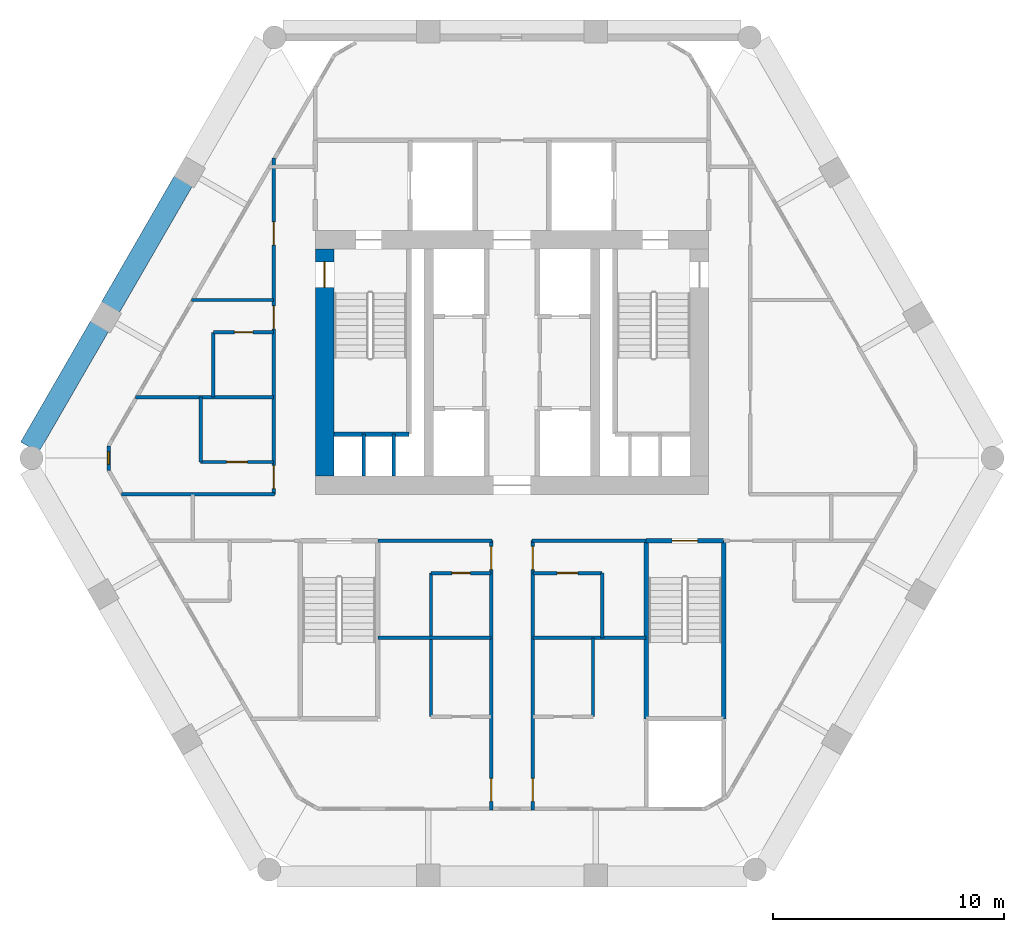
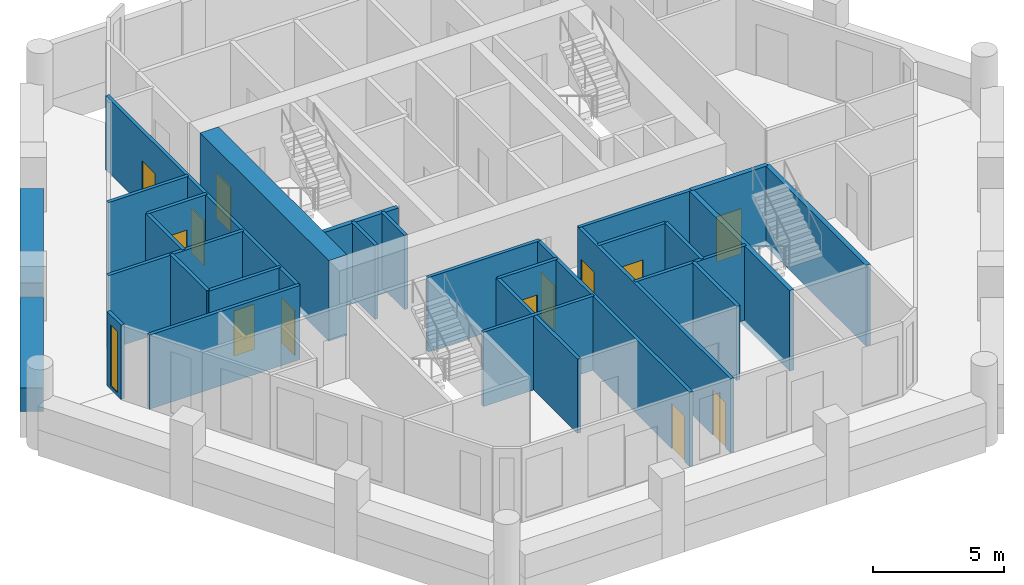
# One storey, part 3 of 7: 29 walls, 13 doors, 1 window, 14 openings.
"""IFC4 building model written with IfcOpenShell, lengths in metres."""

from ifc_helpers import new_model, si_unit, direction, frame, frame_2d, origin, place, context, subcontext, project, spatial, rectangle, extrude, material, layer, layer_set, type_object, element, fill, save


model = new_model("IFC4")

# Units and contexts
model_context = context("Model", 3, precision=1e-05, world=origin(), true_north=direction((0.0, 1.0)))
body_context = subcontext(model_context, "Body", "Model", "MODEL_VIEW")
ifc_project = project(units=[si_unit("LENGTHUNIT", "METRE"), si_unit("AREAUNIT", "SQUARE_METRE"), si_unit("VOLUMEUNIT", "CUBIC_METRE"), si_unit("PLANEANGLEUNIT", "RADIAN"), si_unit("MASSUNIT", "GRAM", prefix="KILO")], contexts=[model_context])

# Site, building, storey
site_placement = place(None, origin())
site = spatial("IfcSite", under=ifc_project, at=site_placement, CompositionType="ELEMENT")
building_placement = place(site_placement, origin())
building = spatial("IfcBuilding", under=site, at=building_placement, Name="Ostrander Bayou Hotel Tower", CompositionType="ELEMENT")
storey_placement = place(building_placement, frame((0.0, 0.0, 157.0)))
storey = spatial("IfcBuildingStorey", under=building, at=storey_placement, Name="L38", CompositionType="ELEMENT", Elevation=157.0)

# Wall, opening, door
ifc_material_1 = material(Name="Concrete f'c 60 MPa", Category="concrete")
ifc_layer_1 = layer(ifc_material_1, 0.800048828125)
ifc_layer_set_1 = layer_set([ifc_layer_1], Name="CW8 core spine wall 800 mm f'c 60 MPa")
wall_type_1 = type_object("IfcWallType", Name="CW8 core spine wall 800 mm f'c 60 MPa", PredefinedType="SHEAR", material=ifc_layer_set_1)
wall_1_placement = place(storey_placement, frame((-8.10009765625, -0.89990234375, -0.300048828125), z_axis=(0.0, 0.0, 1.0), x_axis=(0.0, 1.0, 0.0)))
wall_1 = element("IfcWall", 1, at=wall_1_placement, inside=storey, type_object=wall_type_1, Name="CW8 L38 W", PredefinedType="SHEAR", context=body_context, shape_type="SweptSolid", body=[
    extrude(rectangle(XDim=9.7998046875, YDim=0.800048828125, at=frame_2d((4.89990234375, 0.0))), origin(), (0.0, 0.0, 1.0), 3.75),
])
opening_1_placement = place(wall_1_placement, frame((8.14990234375, 0.0, 0.0)))
opening_1 = element("IfcOpeningElement", 2, at=opening_1_placement, cuts=wall_1, Name="Opening T38-008", PredefinedType="OPENING", context=body_context, shape_type="SweptSolid", body=[
    extrude(rectangle(XDim=1.10009765625, YDim=2.10009765625, at=frame_2d((0.550048828125, 1.050048828125))), frame((0.0, 0.39990234375, 0.0), z_axis=(0.0, -1.0, 0.0), x_axis=(1.0, 0.0, 0.0)), (0.0, 0.0, 1.0), 0.800048828125),
])
ifc_material_2 = material(Name="Timber door leaf", Category="wood")
door_type_1 = type_object("IfcDoorType", Name="D5 stair door 1100 x 2100 mm, 90 minute", OperationType="SINGLE_SWING_LEFT", PredefinedType="DOOR", material=ifc_material_2)
door_1_placement = place(opening_1_placement, origin())
door_1 = element("IfcDoor", 3, at=door_1_placement, inside=storey, type_object=door_type_1, Name="dr:L38:008", OperationType="SINGLE_SWING_RIGHT", OverallHeight=2.10009765625, OverallWidth=1.10009765625, PredefinedType="DOOR", context=body_context, shape_type="SweptSolid", body=[
    extrude(rectangle(XDim=1.10009765625, YDim=2.10009765625, at=frame_2d((0.550048828125, 1.050048828125))), frame((0.0, 0.02490234375, 0.0), z_axis=(0.0, -1.0, 0.0), x_axis=(1.0, 0.0, 0.0)), (0.0, 0.0, 1.0), 0.050048828125),
])
fill(opening_1, door_1)

# Wall, opening, window
ifc_material_3 = material(Name="Aluminium framed insulated wall", Category="aluminium")
ifc_layer_2 = layer(ifc_material_3, 0.14990234375)
ifc_layer_set_2 = layer_set([ifc_layer_2], Name="GW1 glass-line wall 150 mm")
wall_type_2 = type_object("IfcWallType", Name="GW1 glass-line wall 150 mm", PredefinedType="SOLIDWALL", material=ifc_layer_set_2)
wall_2_placement = place(storey_placement, frame((-17.42822265625, 0.401611328125, 0.0), z_axis=(0.0, 0.0, 1.0), x_axis=(0.0, -1.0, 0.0)))
wall_2 = element("IfcWall", 4, at=wall_2_placement, inside=storey, type_object=wall_type_2, Name="GW1 L38 corner 2", PredefinedType="SOLIDWALL", context=body_context, shape_type="SweptSolid", body=[
    extrude(rectangle(XDim=1.06494140625, YDim=0.14990234375, at=frame_2d((0.532470703125, 0.0))), origin(), (0.0, 0.0, 1.0), 3.449951171875),
])
opening_2_placement = place(wall_2_placement, frame((0.257568359375, 0.0, 0.14990234375)))
opening_2 = element("IfcOpeningElement", 5, at=opening_2_placement, cuts=wall_2, Name="Opening W19", PredefinedType="OPENING", context=body_context, shape_type="SweptSolid", body=[
    extrude(rectangle(XDim=0.550048828125, YDim=2.85009765625, at=frame_2d((0.27490234375, 1.425048828125))), frame((0.0, 0.074951171875, 0.0), z_axis=(0.0, -1.0, 0.0), x_axis=(1.0, 0.0, 0.0)), (0.0, 0.0, 1.0), 0.14990234375),
])
ifc_material_4 = material(Name="Aluminium and clear glass", Category="aluminium")
window_type = type_object("IfcWindowType", Name="W19 corner window 550 mm", PartitioningType="SINGLE_PANEL", PredefinedType="WINDOW", material=ifc_material_4)
window_placement = place(opening_2_placement, origin())
window = element("IfcWindow", 6, at=window_placement, inside=storey, type_object=window_type, Name="W19 L38 corner 2", OverallHeight=2.85009765625, OverallWidth=0.550048828125, PartitioningType="SINGLE_PANEL", PredefinedType="WINDOW", context=body_context, shape_type="SweptSolid", body=[
    extrude(rectangle(XDim=0.550048828125, YDim=2.85009765625, at=frame_2d((0.27490234375, 1.425048828125))), frame((0.0, 0.030029296875, 0.0), z_axis=(0.0, -1.0, 0.0), x_axis=(1.0, 0.0, 0.0)), (0.0, 0.0, 1.0), 0.06005859375),
])
fill(opening_2, window)

# Walls
ifc_material_5 = material(Name="Concrete f'c 40 MPa", Category="concrete")
ifc_layer_3 = layer(ifc_material_5, 0.89990234375)
ifc_layer_set_3 = layer_set([ifc_layer_3], Name="PA1 stone-faced parapet 900 mm")
wall_type_3 = type_object("IfcWallType", Name="PA1 stone-faced parapet 900 mm", PredefinedType="PARAPET", material=ifc_layer_set_3)
wall_3_placement = place(storey_placement, frame((-14.2041015625, 11.835693359375, 0.0), z_axis=(0.0, 0.0, 1.0), x_axis=(-0.500030142214, -0.86600800047, 0.0)))
element("IfcWall", 7, at=wall_3_placement, inside=storey, type_object=wall_type_3, Name="PA1 L38 NW-2", PredefinedType="PARAPET", context=body_context, shape_type="SweptSolid", body=[
    extrude(rectangle(XDim=6.2958984375, YDim=0.89990234375, at=frame_2d((3.14794921875, 0.0))), origin(), (0.0, 0.0, 1.0), 1.10009765625),
])
wall_4_placement = place(storey_placement, frame((-17.822265625, 5.569091796875, 0.0), z_axis=(0.0, 0.0, 1.0), x_axis=(-0.500012890865, -0.866017961112, 0.0)))
element("IfcWall", 8, at=wall_4_placement, inside=storey, type_object=wall_type_3, Name="PA1 L38 NW-3", PredefinedType="PARAPET", context=body_context, shape_type="SweptSolid", body=[
    extrude(rectangle(XDim=6.039306640625, YDim=0.89990234375, at=frame_2d((3.01953125, 0.0))), origin(), (0.0, 0.0, 1.0), 1.10009765625),
])
ifc_material_6 = material(Name="Gypsum board partition", Category="finish")
ifc_layer_4 = layer(ifc_material_6, 0.14990234375)
ifc_layer_set_4 = layer_set([ifc_layer_4], Name="PT7 riser wall 150 mm, 2 hour")
wall_type_4 = type_object("IfcWallType", Name="PT7 riser wall 150 mm, 2 hour", PredefinedType="PARTITIONING", material=ifc_layer_set_4)
for number, where, z_axis, x_axis, name in (
    (9, (-6.39990234375, -0.89990234375, 0.0), (0.0, 0.0, 1.0), (0.0, 1.0, 0.0), "cs:L38:011"),
    (10, (-5.10009765625, -0.89990234375, 0.0), (0.0, 0.0, 1.0), (0.0, 1.0, 0.0), "cs:L38:012"),
):
    element("IfcWall", number, at=place(storey_placement, frame(where, z_axis=z_axis, x_axis=x_axis)), inside=storey, type_object=wall_type_4, Name=name, PredefinedType="PARTITIONING", context=body_context, shape_type="SweptSolid", body=[
        extrude(rectangle(XDim=1.7998046875, YDim=0.14990234375, at=frame_2d((0.89990234375, 0.0))), origin(), (0.0, 0.0, 1.0), 3.449951171875),
    ])
ifc_material_7 = material(Name="Gypsum board partition", Category="finish")
ifc_layer_5 = layer(ifc_material_7, 0.14990234375)
ifc_layer_set_5 = layer_set([ifc_layer_5], Name="PT8 service band wall 150 mm, 1 hour")
wall_type_5 = type_object("IfcWallType", Name="PT8 service band wall 150 mm, 1 hour", PredefinedType="PARTITIONING", material=ifc_layer_set_5)
for number, where, z_axis, x_axis, name in (
    (11, (-5.7900390625, -7.89990234375, 0.0), (0.0, 0.0, 1.0), (1.0, 0.0, 0.0), "gw:L38:004"),
    (12, (0.89990234375, -7.89990234375, 0.0), (0.0, 0.0, 1.0), (1.0, 0.0, 0.0), "gw:L38:005"),
):
    element("IfcWall", number, at=place(storey_placement, frame(where, z_axis=z_axis, x_axis=x_axis)), inside=storey, type_object=wall_type_5, Name=name, PredefinedType="PARTITIONING", context=body_context, shape_type="SweptSolid", body=[
        extrude(rectangle(XDim=4.89013671875, YDim=0.14990234375, at=frame_2d((2.445068359375, 0.0))), origin(), (0.0, 0.0, 1.0), 3.449951171875),
    ])

# Wall, opening, door
wall_5_placement = place(storey_placement, frame((-3.5, -5.10009765625, 0.0), z_axis=(0.0, 0.0, 1.0), x_axis=(1.0, 0.0, 0.0)))
wall_5 = element("IfcWall", 13, at=wall_5_placement, inside=storey, type_object=wall_type_5, Name="gw:L38:008", PredefinedType="PARTITIONING", context=body_context, shape_type="SweptSolid", body=[
    extrude(rectangle(XDim=2.60009765625, YDim=0.14990234375, at=frame_2d((1.300048828125, 0.0))), origin(), (0.0, 0.0, 1.0), 3.449951171875),
])
opening_3_placement = place(wall_5_placement, frame((0.89990234375, 0.0, 0.0)))
opening_3 = element("IfcOpeningElement", 14, at=opening_3_placement, cuts=wall_5, Name="Opening T38-403", PredefinedType="OPENING", context=body_context, shape_type="SweptSolid", body=[
    extrude(rectangle(XDim=0.800048828125, YDim=2.10009765625, at=frame_2d((0.39990234375, 1.050048828125))), frame((0.0, 0.074951171875, 0.0), z_axis=(0.0, -1.0, 0.0), x_axis=(1.0, 0.0, 0.0)), (0.0, 0.0, 1.0), 0.14990234375),
])
ifc_material_8 = material(Name="Timber door leaf", Category="wood")
door_type_2 = type_object("IfcDoorType", Name="D2 bathroom door 800 x 2100 mm", OperationType="SINGLE_SWING_LEFT", PredefinedType="DOOR", material=ifc_material_8)
door_2_placement = place(opening_3_placement, origin())
door_2 = element("IfcDoor", 15, at=door_2_placement, inside=storey, type_object=door_type_2, Name="dr:L38:403", OperationType="SINGLE_SWING_RIGHT", OverallHeight=2.10009765625, OverallWidth=0.800048828125, PredefinedType="DOOR", context=body_context, shape_type="SweptSolid", body=[
    extrude(rectangle(XDim=0.800048828125, YDim=2.10009765625, at=frame_2d((0.39990234375, 1.050048828125))), frame((0.0, 0.02490234375, 0.0), z_axis=(0.0, -1.0, 0.0), x_axis=(1.0, 0.0, 0.0)), (0.0, 0.0, 1.0), 0.050048828125),
])
fill(opening_3, door_2)

wall_6_placement = place(storey_placement, frame((0.89990234375, -5.10009765625, 0.0), z_axis=(0.0, 0.0, 1.0), x_axis=(1.0, 0.0, 0.0)))
wall_6 = element("IfcWall", 16, at=wall_6_placement, inside=storey, type_object=wall_type_5, Name="gw:L38:009", PredefinedType="PARTITIONING", context=body_context, shape_type="SweptSolid", body=[
    extrude(rectangle(XDim=3.0, YDim=0.14990234375, at=frame_2d((1.5, 0.0))), origin(), (0.0, 0.0, 1.0), 3.449951171875),
])
opening_4_placement = place(wall_6_placement, frame((1.050048828125, 0.0, 0.0)))
opening_4 = element("IfcOpeningElement", 17, at=opening_4_placement, cuts=wall_6, Name="Opening T38-407", PredefinedType="OPENING", context=body_context, shape_type="SweptSolid", body=[
    extrude(rectangle(XDim=0.89990234375, YDim=2.10009765625, at=frame_2d((0.449951171875, 1.050048828125))), frame((0.0, 0.074951171875, 0.0), z_axis=(0.0, -1.0, 0.0), x_axis=(1.0, 0.0, 0.0)), (0.0, 0.0, 1.0), 0.14990234375),
])
ifc_material_9 = material(Name="Timber door leaf", Category="wood")
door_type_3 = type_object("IfcDoorType", Name="D14 bathroom door 900 x 2100 mm", OperationType="SINGLE_SWING_LEFT", PredefinedType="DOOR", material=ifc_material_9)
door_3_placement = place(opening_4_placement, origin())
door_3 = element("IfcDoor", 18, at=door_3_placement, inside=storey, type_object=door_type_3, Name="dr:L38:407", OperationType="SINGLE_SWING_LEFT", OverallHeight=2.10009765625, OverallWidth=0.89990234375, PredefinedType="DOOR", context=body_context, shape_type="SweptSolid", body=[
    extrude(rectangle(XDim=0.89990234375, YDim=2.10009765625, at=frame_2d((0.449951171875, 1.050048828125))), frame((0.0, 0.02490234375, 0.0), z_axis=(0.0, -1.0, 0.0), x_axis=(1.0, 0.0, 0.0)), (0.0, 0.0, 1.0), 0.050048828125),
])
fill(opening_4, door_3)

# Walls
for number, where, z_axis, x_axis, name in (
    (19, (-5.7900390625, -3.699951171875, 0.0), (0.0, 0.0, 1.0), (1.0, 0.0, 0.0), "gw:L38:011"),
    (20, (0.860107421875, -3.699951171875, 0.0), (0.0, 0.0, 1.0), (1.0, 0.0, 0.0), "gw:L38:012"),
):
    element("IfcWall", number, at=place(storey_placement, frame(where, z_axis=z_axis, x_axis=x_axis)), inside=storey, type_object=wall_type_5, Name=name, PredefinedType="PARTITIONING", context=body_context, shape_type="SweptSolid", body=[
        extrude(rectangle(XDim=4.929931640625, YDim=0.14990234375, at=frame_2d((2.46484375, 0.0))), origin(), (0.0, 0.0, 1.0), 3.449951171875),
    ])
wall_7_placement = place(storey_placement, frame((-16.882080078125, -1.699951171875, 0.0), z_axis=(0.0, 0.0, 1.0), x_axis=(1.0, 0.0, 0.0)))
element("IfcWall", 21, at=wall_7_placement, inside=storey, type_object=wall_type_5, Name="gw:L38:014", PredefinedType="PARTITIONING", context=body_context, shape_type="SweptSolid", body=[
    extrude(rectangle(XDim=6.6220703125, YDim=0.14990234375, at=frame_2d((3.31103515625, 0.0))), origin(), (0.0, 0.0, 1.0), 3.449951171875),
])

# Wall, opening, door
wall_8_placement = place(storey_placement, frame((-13.4599609375, -0.300048828125, 0.0), z_axis=(0.0, 0.0, 1.0), x_axis=(1.0, 0.0, 0.0)))
wall_8 = element("IfcWall", 22, at=wall_8_placement, inside=storey, type_object=wall_type_5, Name="gw:L38:016", PredefinedType="PARTITIONING", context=body_context, shape_type="SweptSolid", body=[
    extrude(rectangle(XDim=3.159912109375, YDim=0.14990234375, at=frame_2d((1.580078125, 0.0))), origin(), (0.0, 0.0, 1.0), 3.449951171875),
])
opening_5_placement = place(wall_8_placement, frame((1.12890625, 0.0, 0.0)))
opening_5 = element("IfcOpeningElement", 23, at=opening_5_placement, cuts=wall_8, Name="Opening T38-413", PredefinedType="OPENING", context=body_context, shape_type="SweptSolid", body=[
    extrude(rectangle(XDim=0.89990234375, YDim=2.10009765625, at=frame_2d((0.449951171875, 1.050048828125))), frame((0.0, 0.074951171875, 0.0), z_axis=(0.0, -1.0, 0.0), x_axis=(1.0, 0.0, 0.0)), (0.0, 0.0, 1.0), 0.14990234375),
])
door_4_placement = place(opening_5_placement, origin())
door_4 = element("IfcDoor", 24, at=door_4_placement, inside=storey, type_object=door_type_3, Name="dr:L38:413", OperationType="SINGLE_SWING_RIGHT", OverallHeight=2.10009765625, OverallWidth=0.89990234375, PredefinedType="DOOR", context=body_context, shape_type="SweptSolid", body=[
    extrude(rectangle(XDim=0.89990234375, YDim=2.10009765625, at=frame_2d((0.449951171875, 1.050048828125))), frame((0.0, 0.02490234375, 0.0), z_axis=(0.0, -1.0, 0.0), x_axis=(1.0, 0.0, 0.0)), (0.0, 0.0, 1.0), 0.050048828125),
])
fill(opening_5, door_4)

# Wall
wall_9_placement = place(storey_placement, frame((-16.26904296875, 2.5, 0.0), z_axis=(0.0, 0.0, 1.0), x_axis=(1.0, 0.0, 0.0)))
element("IfcWall", 25, at=wall_9_placement, inside=storey, type_object=wall_type_5, Name="gw:L38:017", PredefinedType="PARTITIONING", context=body_context, shape_type="SweptSolid", body=[
    extrude(rectangle(XDim=5.968994140625, YDim=0.14990234375, at=frame_2d((2.984375, 0.0))), origin(), (0.0, 0.0, 1.0), 3.449951171875),
])

# Wall, opening, door
wall_10_placement = place(storey_placement, frame((-12.89990234375, 5.300048828125, 0.0), z_axis=(0.0, 0.0, 1.0), x_axis=(1.0, 0.0, 0.0)))
wall_10 = element("IfcWall", 26, at=wall_10_placement, inside=storey, type_object=wall_type_5, Name="gw:L38:018", PredefinedType="PARTITIONING", context=body_context, shape_type="SweptSolid", body=[
    extrude(rectangle(XDim=2.599853515625, YDim=0.14990234375, at=frame_2d((1.2998046875, 0.0))), origin(), (0.0, 0.0, 1.0), 3.449951171875),
])
opening_6_placement = place(wall_10_placement, frame((0.89990234375, 0.0, 0.0)))
opening_6 = element("IfcOpeningElement", 27, at=opening_6_placement, cuts=wall_10, Name="Opening T38-415", PredefinedType="OPENING", context=body_context, shape_type="SweptSolid", body=[
    extrude(rectangle(XDim=0.800048828125, YDim=2.10009765625, at=frame_2d((0.39990234375, 1.050048828125))), frame((0.0, 0.074951171875, 0.0), z_axis=(0.0, -1.0, 0.0), x_axis=(1.0, 0.0, 0.0)), (0.0, 0.0, 1.0), 0.14990234375),
])
door_5_placement = place(opening_6_placement, origin())
door_5 = element("IfcDoor", 28, at=door_5_placement, inside=storey, type_object=door_type_2, Name="dr:L38:415", OperationType="SINGLE_SWING_RIGHT", OverallHeight=2.10009765625, OverallWidth=0.800048828125, PredefinedType="DOOR", context=body_context, shape_type="SweptSolid", body=[
    extrude(rectangle(XDim=0.800048828125, YDim=2.10009765625, at=frame_2d((0.39990234375, 1.050048828125))), frame((0.0, 0.02490234375, 0.0), z_axis=(0.0, -1.0, 0.0), x_axis=(1.0, 0.0, 0.0)), (0.0, 0.0, 1.0), 0.050048828125),
])
fill(opening_6, door_5)

# Walls
wall_11_placement = place(storey_placement, frame((-13.843994140625, 6.699951171875, 0.0), z_axis=(0.0, 0.0, 1.0), x_axis=(1.0, 0.0, 0.0)))
element("IfcWall", 29, at=wall_11_placement, inside=storey, type_object=wall_type_5, Name="gw:L38:019", PredefinedType="PARTITIONING", context=body_context, shape_type="SweptSolid", body=[
    extrude(rectangle(XDim=3.5439453125, YDim=0.14990234375, at=frame_2d((1.77197265625, 0.0))), origin(), (0.0, 0.0, 1.0), 3.449951171875),
])
wall_12_placement = place(storey_placement, frame((3.89990234375, -7.89990234375, 0.0), z_axis=(0.0, 0.0, 1.0), x_axis=(0.0, 1.0, 0.0)))
element("IfcWall", 30, at=wall_12_placement, inside=storey, type_object=wall_type_5, Name="gw:L38:029", PredefinedType="PARTITIONING", context=body_context, shape_type="SweptSolid", body=[
    extrude(rectangle(XDim=2.7998046875, YDim=0.14990234375, at=frame_2d((1.39990234375, 0.0))), origin(), (0.0, 0.0, 1.0), 3.449951171875),
])
wall_13_placement = place(storey_placement, frame((3.5, -11.300048828125, 0.0), z_axis=(0.0, 0.0, 1.0), x_axis=(0.0, 1.0, 0.0)))
element("IfcWall", 31, at=wall_13_placement, inside=storey, type_object=wall_type_5, Name="gw:L38:030", PredefinedType="PARTITIONING", context=body_context, shape_type="SweptSolid", body=[
    extrude(rectangle(XDim=3.400146484375, YDim=0.14990234375, at=frame_2d((1.7001953125, 0.0))), origin(), (0.0, 0.0, 1.0), 3.449951171875),
])

# Wall, openings, doors
wall_14_placement = place(storey_placement, frame((0.89990234375, -15.339111328125, 0.0), z_axis=(0.0, 0.0, 1.0), x_axis=(0.0, 1.0, 0.0)))
wall_14 = element("IfcWall", 32, at=wall_14_placement, inside=storey, type_object=wall_type_5, Name="gw:L38:031", PredefinedType="PARTITIONING", context=body_context, shape_type="SweptSolid", body=[
    extrude(rectangle(XDim=11.63916015625, YDim=0.14990234375, at=frame_2d((5.819580078125, 0.0))), origin(), (0.0, 0.0, 1.0), 3.449951171875),
])
opening_7_placement = place(wall_14_placement, frame((10.388916015625, 0.0, 0.0)))
opening_7 = element("IfcOpeningElement", 33, at=opening_7_placement, cuts=wall_14, Name="Opening T38-406", PredefinedType="OPENING", context=body_context, shape_type="SweptSolid", body=[
    extrude(rectangle(XDim=1.0, YDim=2.10009765625, at=frame_2d((0.5, 1.050048828125))), frame((0.0, 0.074951171875, 0.0), z_axis=(0.0, -1.0, 0.0), x_axis=(1.0, 0.0, 0.0)), (0.0, 0.0, 1.0), 0.14990234375),
])
opening_8_placement = place(wall_14_placement, frame((0.368896484375, 0.0, 0.0)))
opening_8 = element("IfcOpeningElement", 34, at=opening_8_placement, cuts=wall_14, Name="Opening T38-408", PredefinedType="OPENING", context=body_context, shape_type="SweptSolid", body=[
    extrude(rectangle(XDim=1.0, YDim=2.10009765625, at=frame_2d((0.5, 1.050048828125))), frame((0.0, 0.074951171875, 0.0), z_axis=(0.0, -1.0, 0.0), x_axis=(1.0, 0.0, 0.0)), (0.0, 0.0, 1.0), 0.14990234375),
])
ifc_material_10 = material(Name="Timber door leaf", Category="wood")
door_type_4 = type_object("IfcDoorType", Name="D1 guest room door 1000 x 2100 mm, 30 minute", OperationType="SINGLE_SWING_LEFT", PredefinedType="DOOR", material=ifc_material_10)
door_6_placement = place(opening_7_placement, origin())
door_6 = element("IfcDoor", 35, at=door_6_placement, inside=storey, type_object=door_type_4, Name="dr:L38:406", OperationType="SINGLE_SWING_RIGHT", OverallHeight=2.10009765625, OverallWidth=1.0, PredefinedType="DOOR", context=body_context, shape_type="SweptSolid", body=[
    extrude(rectangle(XDim=1.0, YDim=2.10009765625, at=frame_2d((0.5, 1.050048828125))), frame((0.0, 0.02490234375, 0.0), z_axis=(0.0, -1.0, 0.0), x_axis=(1.0, 0.0, 0.0)), (0.0, 0.0, 1.0), 0.050048828125),
])
fill(opening_7, door_6)
door_7_placement = place(opening_8_placement, origin())
door_7 = element("IfcDoor", 36, at=door_7_placement, inside=storey, type_object=door_type_4, Name="dr:L38:408", OperationType="SINGLE_SWING_LEFT", OverallHeight=2.10009765625, OverallWidth=1.0, PredefinedType="DOOR", context=body_context, shape_type="SweptSolid", body=[
    extrude(rectangle(XDim=1.0, YDim=2.10009765625, at=frame_2d((0.5, 1.050048828125))), frame((0.0, 0.02490234375, 0.0), z_axis=(0.0, -1.0, 0.0), x_axis=(1.0, 0.0, 0.0)), (0.0, 0.0, 1.0), 0.050048828125),
])
fill(opening_8, door_7)

wall_15_placement = place(storey_placement, frame((-0.89990234375, -15.339111328125, 0.0), z_axis=(0.0, 0.0, 1.0), x_axis=(0.0, 1.0, 0.0)))
wall_15 = element("IfcWall", 37, at=wall_15_placement, inside=storey, type_object=wall_type_5, Name="gw:L38:032", PredefinedType="PARTITIONING", context=body_context, shape_type="SweptSolid", body=[
    extrude(rectangle(XDim=11.63916015625, YDim=0.14990234375, at=frame_2d((5.819580078125, 0.0))), origin(), (0.0, 0.0, 1.0), 3.449951171875),
])
opening_9_placement = place(wall_15_placement, frame((10.388916015625, 0.0, 0.0)))
opening_9 = element("IfcOpeningElement", 38, at=opening_9_placement, cuts=wall_15, Name="Opening T38-402", PredefinedType="OPENING", context=body_context, shape_type="SweptSolid", body=[
    extrude(rectangle(XDim=1.0, YDim=2.10009765625, at=frame_2d((0.5, 1.050048828125))), frame((0.0, 0.074951171875, 0.0), z_axis=(0.0, -1.0, 0.0), x_axis=(1.0, 0.0, 0.0)), (0.0, 0.0, 1.0), 0.14990234375),
])
opening_10_placement = place(wall_15_placement, frame((0.368896484375, 0.0, 0.0)))
opening_10 = element("IfcOpeningElement", 39, at=opening_10_placement, cuts=wall_15, Name="Opening T38-404", PredefinedType="OPENING", context=body_context, shape_type="SweptSolid", body=[
    extrude(rectangle(XDim=1.0, YDim=2.10009765625, at=frame_2d((0.5, 1.050048828125))), frame((0.0, 0.074951171875, 0.0), z_axis=(0.0, -1.0, 0.0), x_axis=(1.0, 0.0, 0.0)), (0.0, 0.0, 1.0), 0.14990234375),
])
door_8_placement = place(opening_9_placement, origin())
door_8 = element("IfcDoor", 40, at=door_8_placement, inside=storey, type_object=door_type_4, Name="dr:L38:402", OperationType="SINGLE_SWING_RIGHT", OverallHeight=2.10009765625, OverallWidth=1.0, PredefinedType="DOOR", context=body_context, shape_type="SweptSolid", body=[
    extrude(rectangle(XDim=1.0, YDim=2.10009765625, at=frame_2d((0.5, 1.050048828125))), frame((0.0, 0.02490234375, 0.0), z_axis=(0.0, -1.0, 0.0), x_axis=(1.0, 0.0, 0.0)), (0.0, 0.0, 1.0), 0.050048828125),
])
fill(opening_9, door_8)
door_9_placement = place(opening_10_placement, origin())
door_9 = element("IfcDoor", 41, at=door_9_placement, inside=storey, type_object=door_type_4, Name="dr:L38:404", OperationType="SINGLE_SWING_LEFT", OverallHeight=2.10009765625, OverallWidth=1.0, PredefinedType="DOOR", context=body_context, shape_type="SweptSolid", body=[
    extrude(rectangle(XDim=1.0, YDim=2.10009765625, at=frame_2d((0.5, 1.050048828125))), frame((0.0, 0.02490234375, 0.0), z_axis=(0.0, -1.0, 0.0), x_axis=(1.0, 0.0, 0.0)), (0.0, 0.0, 1.0), 0.050048828125),
])
fill(opening_10, door_9)

# Wall
wall_16_placement = place(storey_placement, frame((-3.5, -11.300048828125, 0.0), z_axis=(0.0, 0.0, 1.0), x_axis=(0.0, 1.0, 0.0)))
element("IfcWall", 42, at=wall_16_placement, inside=storey, type_object=wall_type_5, Name="gw:L38:033", PredefinedType="PARTITIONING", context=body_context, shape_type="SweptSolid", body=[
    extrude(rectangle(XDim=6.199951171875, YDim=0.14990234375, at=frame_2d((3.10009765625, 0.0))), origin(), (0.0, 0.0, 1.0), 3.449951171875),
])

# Wall, openings, doors
wall_17_placement = place(storey_placement, frame((-10.300048828125, -1.699951171875, 0.0), z_axis=(0.0, 0.0, 1.0), x_axis=(0.0, 1.0, 0.0)))
wall_17 = element("IfcWall", 43, at=wall_17_placement, inside=storey, type_object=wall_type_5, Name="gw:L38:035", PredefinedType="PARTITIONING", context=body_context, shape_type="SweptSolid", body=[
    extrude(rectangle(XDim=14.537841796875, YDim=0.14990234375, at=frame_2d((7.26904296875, 0.0))), origin(), (0.0, 0.0, 1.0), 3.449951171875),
])
opening_11_placement = place(wall_17_placement, frame((0.25, 0.0, 0.0)))
opening_11 = element("IfcOpeningElement", 44, at=opening_11_placement, cuts=wall_17, Name="Opening T38-412", PredefinedType="OPENING", context=body_context, shape_type="SweptSolid", body=[
    extrude(rectangle(XDim=1.0, YDim=2.10009765625, at=frame_2d((0.5, 1.050048828125))), frame((0.0, 0.074951171875, 0.0), z_axis=(0.0, -1.0, 0.0), x_axis=(1.0, 0.0, 0.0)), (0.0, 0.0, 1.0), 0.14990234375),
])
opening_12_placement = place(wall_17_placement, frame((7.14990234375, 0.0, 0.0)))
opening_12 = element("IfcOpeningElement", 45, at=opening_12_placement, cuts=wall_17, Name="Opening T38-414", PredefinedType="OPENING", context=body_context, shape_type="SweptSolid", body=[
    extrude(rectangle(XDim=1.0, YDim=2.10009765625, at=frame_2d((0.5, 1.050048828125))), frame((0.0, 0.074951171875, 0.0), z_axis=(0.0, -1.0, 0.0), x_axis=(1.0, 0.0, 0.0)), (0.0, 0.0, 1.0), 0.14990234375),
])
opening_13_placement = place(wall_17_placement, frame((10.77490234375, 0.0, 0.0)))
opening_13 = element("IfcOpeningElement", 46, at=opening_13_placement, cuts=wall_17, Name="Opening T38-416", PredefinedType="OPENING", context=body_context, shape_type="SweptSolid", body=[
    extrude(rectangle(XDim=1.0, YDim=2.10009765625, at=frame_2d((0.5, 1.050048828125))), frame((0.0, 0.074951171875, 0.0), z_axis=(0.0, -1.0, 0.0), x_axis=(1.0, 0.0, 0.0)), (0.0, 0.0, 1.0), 0.14990234375),
])
door_10_placement = place(opening_11_placement, origin())
door_10 = element("IfcDoor", 47, at=door_10_placement, inside=storey, type_object=door_type_4, Name="dr:L38:412", OperationType="SINGLE_SWING_LEFT", OverallHeight=2.10009765625, OverallWidth=1.0, PredefinedType="DOOR", context=body_context, shape_type="SweptSolid", body=[
    extrude(rectangle(XDim=1.0, YDim=2.10009765625, at=frame_2d((0.5, 1.050048828125))), frame((0.0, 0.02490234375, 0.0), z_axis=(0.0, -1.0, 0.0), x_axis=(1.0, 0.0, 0.0)), (0.0, 0.0, 1.0), 0.050048828125),
])
fill(opening_11, door_10)
door_11_placement = place(opening_12_placement, origin())
door_11 = element("IfcDoor", 48, at=door_11_placement, inside=storey, type_object=door_type_4, Name="dr:L38:414", OperationType="SINGLE_SWING_RIGHT", OverallHeight=2.10009765625, OverallWidth=1.0, PredefinedType="DOOR", context=body_context, shape_type="SweptSolid", body=[
    extrude(rectangle(XDim=1.0, YDim=2.10009765625, at=frame_2d((0.5, 1.050048828125))), frame((0.0, 0.02490234375, 0.0), z_axis=(0.0, -1.0, 0.0), x_axis=(1.0, 0.0, 0.0)), (0.0, 0.0, 1.0), 0.050048828125),
])
fill(opening_12, door_11)
ifc_material_11 = material(Name="Timber door leaf", Category="wood")
door_type_5 = type_object("IfcDoorType", Name="D9 service door 1000 x 2100 mm, 30 minute", OperationType="SINGLE_SWING_LEFT", PredefinedType="DOOR", material=ifc_material_11)
door_12_placement = place(opening_13_placement, origin())
door_12 = element("IfcDoor", 49, at=door_12_placement, inside=storey, type_object=door_type_5, Name="dr:L38:416", OperationType="SINGLE_SWING_LEFT", OverallHeight=2.10009765625, OverallWidth=1.0, PredefinedType="DOOR", context=body_context, shape_type="SweptSolid", body=[
    extrude(rectangle(XDim=1.0, YDim=2.10009765625, at=frame_2d((0.5, 1.050048828125))), frame((0.0, 0.02490234375, 0.0), z_axis=(0.0, -1.0, 0.0), x_axis=(1.0, 0.0, 0.0)), (0.0, 0.0, 1.0), 0.050048828125),
])
fill(opening_13, door_12)

# Walls
for number, where, z_axis, x_axis, name in (
    (50, (-12.89990234375, 2.5, 0.0), (0.0, 0.0, 1.0), (0.0, 1.0, 0.0), "gw:L38:037"),
    (51, (-13.4599609375, -0.300048828125, 0.0), (0.0, 0.0, 1.0), (0.0, 1.0, 0.0), "gw:L38:038"),
):
    element("IfcWall", number, at=place(storey_placement, frame(where, z_axis=z_axis, x_axis=x_axis)), inside=storey, type_object=wall_type_5, Name=name, PredefinedType="PARTITIONING", context=body_context, shape_type="SweptSolid", body=[
        extrude(rectangle(XDim=2.800048828125, YDim=0.14990234375, at=frame_2d((1.39990234375, 0.0))), origin(), (0.0, 0.0, 1.0), 3.449951171875),
    ])
ifc_material_12 = material(Name="Concrete f'c 45 MPa", Category="concrete")
ifc_layer_6 = layer(ifc_material_12, 0.199951171875)
ifc_layer_set_6 = layer_set([ifc_layer_6], Name="SW5 stair enclosure wall 200 mm f'c 45 MPa")
wall_type_6 = type_object("IfcWallType", Name="SW5 stair enclosure wall 200 mm f'c 45 MPa", PredefinedType="SOLIDWALL", material=ifc_layer_set_6)
wall_18_placement = place(storey_placement, frame((-7.699951171875, 0.89990234375, -0.300048828125), z_axis=(0.0, 0.0, 1.0), x_axis=(1.0, 0.0, 0.0)))
element("IfcWall", 52, at=wall_18_placement, inside=storey, type_object=wall_type_6, Name="cs:L38:010", PredefinedType="SOLIDWALL", context=body_context, shape_type="SweptSolid", body=[
    extrude(rectangle(XDim=3.25, YDim=0.199951171875, at=frame_2d((1.625, 0.0))), origin(), (0.0, 0.0, 1.0), 3.75),
])

# Wall, opening, door
wall_19_placement = place(storey_placement, frame((5.800048828125, -3.699951171875, -0.300048828125), z_axis=(0.0, 0.0, 1.0), x_axis=(1.0, 0.0, 0.0)))
wall_19 = element("IfcWall", 53, at=wall_19_placement, inside=storey, type_object=wall_type_6, Name="cs:L38:017", PredefinedType="SOLIDWALL", context=body_context, shape_type="SweptSolid", body=[
    extrude(rectangle(XDim=3.349853515625, YDim=0.199951171875, at=frame_2d((1.6748046875, 0.0))), origin(), (0.0, 0.0, 1.0), 3.75),
])
opening_14_placement = place(wall_19_placement, frame((1.125, 0.0, 0.0)))
opening_14 = element("IfcOpeningElement", 54, at=opening_14_placement, cuts=wall_19, Name="Opening T38-011", PredefinedType="OPENING", context=body_context, shape_type="SweptSolid", body=[
    extrude(rectangle(XDim=1.10009765625, YDim=2.10009765625, at=frame_2d((0.550048828125, 1.050048828125))), frame((0.0, 0.10009765625, 0.0), z_axis=(0.0, -1.0, 0.0), x_axis=(1.0, 0.0, 0.0)), (0.0, 0.0, 1.0), 0.199951171875),
])
door_13_placement = place(opening_14_placement, origin())
door_13 = element("IfcDoor", 55, at=door_13_placement, inside=storey, type_object=door_type_1, Name="dr:L38:011", OperationType="SINGLE_SWING_LEFT", OverallHeight=2.10009765625, OverallWidth=1.10009765625, PredefinedType="DOOR", context=body_context, shape_type="SweptSolid", body=[
    extrude(rectangle(XDim=1.10009765625, YDim=2.10009765625, at=frame_2d((0.550048828125, 1.050048828125))), frame((0.0, 0.02490234375, 0.0), z_axis=(0.0, -1.0, 0.0), x_axis=(1.0, 0.0, 0.0)), (0.0, 0.0, 1.0), 0.050048828125),
])
fill(opening_14, door_13)

# Walls
for number, where, z_axis, x_axis, name in (
    (56, (5.800048828125, -3.699951171875, -0.300048828125), (0.0, 0.0, 1.0), (0.0, -1.0, 0.0), "cs:L38:018"),
    (57, (9.14990234375, -3.699951171875, -0.300048828125), (0.0, 0.0, 1.0), (0.0, -1.0, 0.0), "cs:L38:019"),
):
    element("IfcWall", number, at=place(storey_placement, frame(where, z_axis=z_axis, x_axis=x_axis)), inside=storey, type_object=wall_type_6, Name=name, PredefinedType="SOLIDWALL", context=body_context, shape_type="SweptSolid", body=[
        extrude(rectangle(XDim=7.699951171875, YDim=0.199951171875, at=frame_2d((3.85009765625, 0.0))), origin(), (0.0, 0.0, 1.0), 3.75),
    ])

save(model, "model.ifc")
